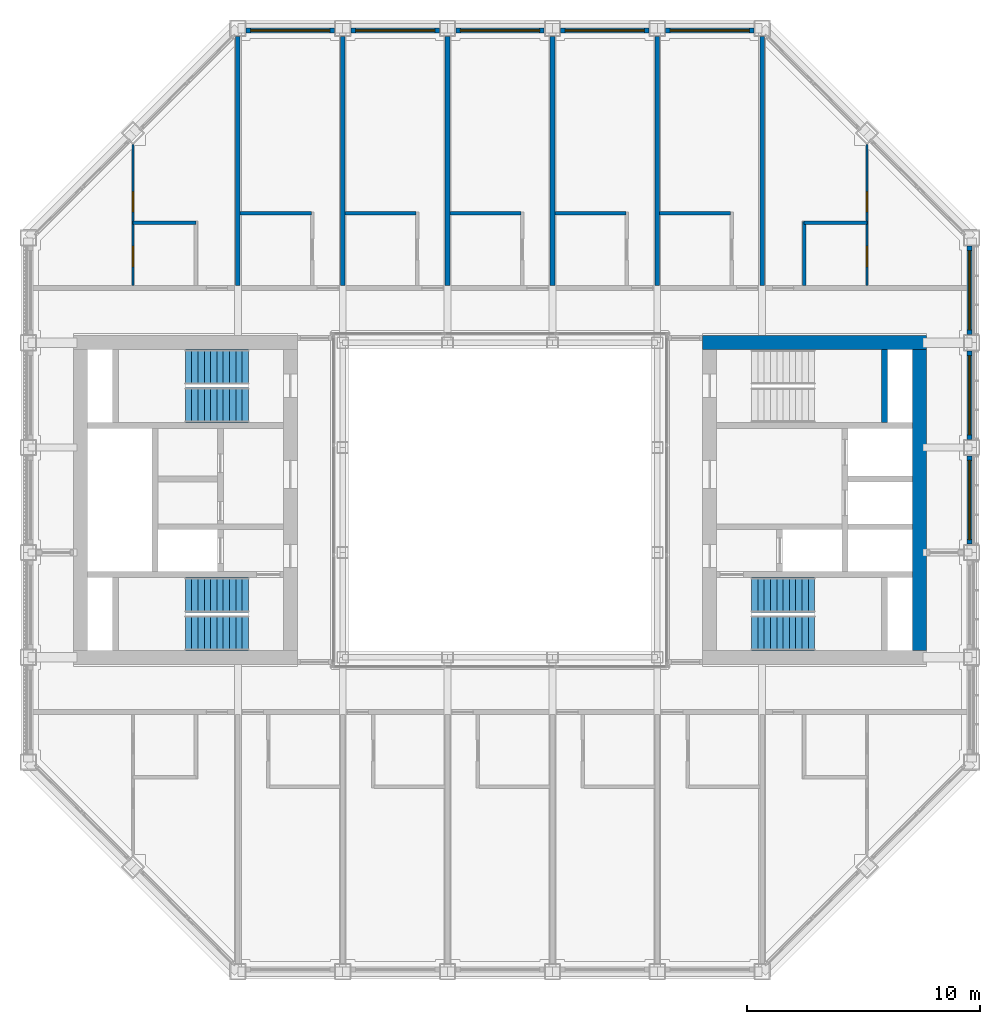
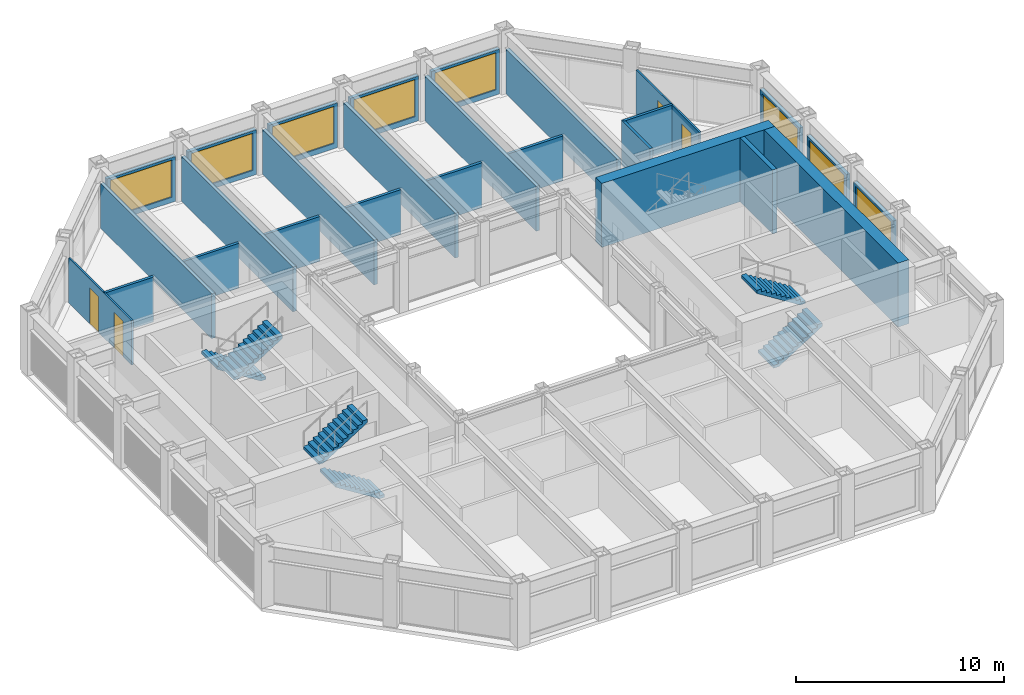
# One storey, part 12 of 18: 27 walls, 8 windows, 6 stair flights, 4 doors, 12 openings, 3 elements without a shape of their own.
"""IFC4 building model written with IfcOpenShell, lengths in metres."""

import ifcopenshell
import ifcopenshell.guid

model = None  # the IFC model being written
_history = None  # IfcOwnerHistory: only IFC2X3 demands one
_inside = {}  # id of a spatial element -> (the spatial element, [elements in it])
_under = {}  # id of a project, library or spatial element -> (it, [spatial elements below it])
_declared = {}  # id of a project -> (the project, [libraries it declares])
_typed = {}  # id of a type object -> (the type object, [elements of that type])
_made_of = {}  # id of a material, layer set ... -> (it, [elements and type objects made of it])


def new_model(schema):
    """Start an empty IFC model of exactly this schema.

    Asked for "IFC4X3", IfcOpenShell would pick the latest addendum, in which some entities
    have other attributes; the version numbers below select the first issue.
    IFC2X3 requires an IfcOwnerHistory on every rooted entity: one is made here for all.
    """
    global model, _history
    if schema == "IFC4X3":
        model = ifcopenshell.file(schema_version=(4, 3, 0, 0))
    else:
        model = ifcopenshell.file(schema=schema)
    _inside.clear()
    _under.clear()
    _declared.clear()
    _typed.clear()
    _made_of.clear()
    _history = None
    if model.schema == "IFC2X3":
        org = make("IfcOrganization", Name="unknown")
        user = make(
            "IfcPersonAndOrganization",
            ThePerson=make("IfcPerson", FamilyName="unknown"),
            TheOrganization=org,
        )
        app = make(
            "IfcApplication",
            ApplicationDeveloper=org,
            Version="unknown",
            ApplicationFullName="unknown",
            ApplicationIdentifier="unknown",
        )
        _history = make(
            "IfcOwnerHistory",
            OwningUser=user,
            OwningApplication=app,
            ChangeAction="ADDED",
            CreationDate=0,
        )
    return model


def make(cls, **values):
    """One entity of the class cls with the attributes given. An attribute that is None is left unset."""
    return model.create_entity(
        cls, **{name: value for name, value in values.items() if value is not None}
    )


def rooted(cls, **values):
    """An entity with a GlobalId (a new one), such as an element, a storey or a relation."""
    return make(cls, GlobalId=ifcopenshell.guid.new(), OwnerHistory=_history, **values)


def si_unit(unit_type, name, prefix=None):
    """IfcSIUnit, for example si_unit("LENGTHUNIT", "METRE", prefix="MILLI")."""
    return make("IfcSIUnit", UnitType=unit_type, Prefix=prefix, Name=name)


def assignment(units):
    """IfcUnitAssignment: the units of a project."""
    return None if units is None else make("IfcUnitAssignment", Units=units)


def point(xyz):
    """IfcCartesianPoint."""
    return None if xyz is None else make("IfcCartesianPoint", Coordinates=xyz)


def direction(xyz):
    """IfcDirection."""
    return None if xyz is None else make("IfcDirection", DirectionRatios=xyz)


def frame(location, z_axis=None, x_axis=None):
    """IfcAxis2Placement3D, a coordinate frame: its origin and axes. An axis left out is left unset."""
    return make(
        "IfcAxis2Placement3D",
        Location=point(location),
        Axis=direction(z_axis),
        RefDirection=direction(x_axis),
    )


def frame_2d(location, x_axis=None):
    """IfcAxis2Placement2D, a coordinate frame in the plane: its origin and x axis."""
    return make(
        "IfcAxis2Placement2D", Location=point(location), RefDirection=direction(x_axis)
    )


def origin():
    """The frame at (0, 0, 0) with its axes left unset."""
    return frame((0.0, 0.0, 0.0))


def place(relative_to, where):
    """IfcLocalPlacement: puts the frame where relative to a parent placement (None: the world)."""
    return make(
        "IfcLocalPlacement", PlacementRelTo=relative_to, RelativePlacement=where
    )


def context(
    kind, dimensions, precision=None, world=None, true_north=None, identifier=None
):
    """IfcGeometricRepresentationContext, for example the 3D "Model" context."""
    return make(
        "IfcGeometricRepresentationContext",
        ContextIdentifier=identifier,
        ContextType=kind,
        CoordinateSpaceDimension=dimensions,
        Precision=precision,
        WorldCoordinateSystem=world,
        TrueNorth=true_north,
    )


def subcontext(parent, identifier, kind, view, scale=None):
    """IfcGeometricRepresentationSubContext, for example "Body" below "Model"."""
    return make(
        "IfcGeometricRepresentationSubContext",
        ContextIdentifier=identifier,
        ContextType=kind,
        ParentContext=parent,
        TargetScale=scale,
        TargetView=view,
    )


def project(units=None, contexts=None):
    """IfcProject with its units and contexts."""
    return rooted(
        "IfcProject",
        Name="project",
        RepresentationContexts=contexts,
        UnitsInContext=assignment(units),
    )


def spatial(cls, under=None, at=None, **own):
    """A site, building, storey or space (cls), placed at a placement, below another one or the project."""
    s = rooted(cls, ObjectPlacement=at, **own)
    if under is not None:
        _under.setdefault(under.id(), (under, []))[1].append(s)
    return s


def polyline(points):
    """IfcPolyline through the points."""
    return make("IfcPolyline", Points=[point(p) for p in points])


def profile(cls, at=None, kind="AREA", **sizes):
    """A parametric profile (cls). Its sizes go by their IFC names, for example OverallWidth=200.0."""
    return make(cls, ProfileType=kind, Position=at, **sizes)


def rectangle(**sizes):
    """IfcRectangleProfileDef."""
    return profile("IfcRectangleProfileDef", **sizes)


def outline(outer, holes=None, kind="AREA"):
    """IfcArbitraryClosedProfileDef: a profile drawn as a closed curve; with holes, ...WithVoids."""
    if holes is None:
        return make("IfcArbitraryClosedProfileDef", ProfileType=kind, OuterCurve=outer)
    return make(
        "IfcArbitraryProfileDefWithVoids",
        ProfileType=kind,
        OuterCurve=outer,
        InnerCurves=holes,
    )


def extrude(swept, where, along, depth):
    """IfcExtrudedAreaSolid: the profile swept, set in the frame where, extruded along a direction by depth."""
    return make(
        "IfcExtrudedAreaSolid",
        SweptArea=swept,
        Position=where,
        ExtrudedDirection=direction(along),
        Depth=depth,
    )


def shape(context_of_items, identifier, shape_type, items):
    """IfcShapeRepresentation: the items that make up one representation, for example the "Body"."""
    return make(
        "IfcShapeRepresentation",
        ContextOfItems=context_of_items,
        RepresentationIdentifier=identifier,
        RepresentationType=shape_type,
        Items=items,
    )


def material(Name=None, Category=None):
    """IfcMaterial."""
    return make("IfcMaterial", Name=Name, Category=Category)


def layer(
    of_material, thickness, ventilated=None, Name=None, Category=None, Priority=None
):
    """IfcMaterialLayer: one layer of a wall or slab, of a material (None: an air gap)."""
    return make(
        "IfcMaterialLayer",
        Material=of_material,
        LayerThickness=thickness,
        IsVentilated=ventilated,
        Name=Name,
        Category=Category,
        Priority=Priority,
    )


def layer_set(layers, Name=None):
    """IfcMaterialLayerSet."""
    return make("IfcMaterialLayerSet", MaterialLayers=layers, LayerSetName=Name)


def made_of(thing, what):
    """Note that an element or type object is made of a material, layer set ...; save() writes the relation."""
    if what is not None:
        _made_of.setdefault(what.id(), (what, []))[1].append(thing)
    return thing


def type_object(cls, material=None, **own):
    """A type object (cls), such as IfcWallType, which elements share."""
    return made_of(rooted(cls, **own), material)


def element(
    cls,
    number,
    at=None,
    inside=None,
    cuts=None,
    type_object=None,
    material=None,
    context=None,
    identifier="Body",
    shape_type=None,
    held_by="IfcProductDefinitionShape",
    body=None,
    shapes=None,
    **own,
):
    """One element of the class cls, such as IfcWall. Its Tag is "e" and its number.

    at: its placement. inside: the storey or other place that contains it. cuts: it is an
    opening in that element (IfcRelVoidsElement). A single representation is given by context,
    identifier, shape_type and body (its items); several are given by shapes. held_by: the class
    of the entity that holds the representations. save() writes the other relations.
    """
    e = rooted(cls, Tag="e%d" % number, ObjectPlacement=at, **own)
    if body is not None:
        shapes = [shape(context, identifier, shape_type, body)]
    if shapes is not None:
        e.Representation = make(held_by, Representations=shapes)
    if inside is not None:
        _inside.setdefault(inside.id(), (inside, []))[1].append(e)
    if cuts is not None:
        rooted(
            "IfcRelVoidsElement", RelatingBuildingElement=cuts, RelatedOpeningElement=e
        )
    if type_object is not None:
        _typed.setdefault(type_object.id(), (type_object, []))[1].append(e)
    return made_of(e, material)


def fill(opening, filler):
    """IfcRelFillsElement: the door or window that sits in an opening."""
    return rooted(
        "IfcRelFillsElement",
        RelatingOpeningElement=opening,
        RelatedBuildingElement=filler,
    )


def aggregate(whole, parts):
    """IfcRelAggregates: a whole, such as a stair, and the parts it consists of."""
    return rooted("IfcRelAggregates", RelatingObject=whole, RelatedObjects=parts)


def save(model, path):
    """Write the relations noted so far, then the file.

    IfcRelAggregates (storeys below a building ...), IfcRelContainedInSpatialStructure (elements
    in a storey), IfcRelDefinesByType, IfcRelAssociatesMaterial and IfcRelDeclares: one each for
    every whole, place, type object, material and project.
    """
    for whole, parts in _under.values():
        aggregate(whole, parts)
    for where, things in _inside.values():
        rooted(
            "IfcRelContainedInSpatialStructure",
            RelatedElements=things,
            RelatingStructure=where,
        )
    for kind, things in _typed.values():
        rooted("IfcRelDefinesByType", RelatedObjects=things, RelatingType=kind)
    for what, things in _made_of.values():
        rooted("IfcRelAssociatesMaterial", RelatedObjects=things, RelatingMaterial=what)
    for by, libraries in _declared.values():
        rooted("IfcRelDeclares", RelatingContext=by, RelatedDefinitions=libraries)
    model.write(path)


model = new_model("IFC4")

# Units and contexts
model_context = context("Model", 3, precision=1e-05, world=origin(), true_north=direction((0.0, 1.0)))
body_context = subcontext(model_context, "Body", "Model", "MODEL_VIEW")
ifc_project = project(units=[si_unit("LENGTHUNIT", "METRE"), si_unit("AREAUNIT", "SQUARE_METRE"), si_unit("VOLUMEUNIT", "CUBIC_METRE"), si_unit("PLANEANGLEUNIT", "RADIAN"), si_unit("MASSUNIT", "GRAM", prefix="KILO")], contexts=[model_context])

# Site, building, storey
site_placement = place(None, origin())
site = spatial("IfcSite", under=ifc_project, at=site_placement, CompositionType="ELEMENT")
building_placement = place(site_placement, origin())
building = spatial("IfcBuilding", under=site, at=building_placement, Name="Msasa Ring Tower", CompositionType="ELEMENT")
storey_placement = place(building_placement, frame((0.0, 0.0, 208.300048828125)))
storey = spatial("IfcBuildingStorey", under=building, at=storey_placement, Name="L54", CompositionType="ELEMENT", Elevation=208.300048828125)

# Walls
ifc_material_1 = material(Name="Concrete C60/75", Category="concrete")
ifc_layer_1 = layer(ifc_material_1, 0.60009765625)
ifc_layer_set_1 = layer_set([ifc_layer_1], Name="CW3 CORE WALL 600")
wall_type_1 = type_object("IfcWallType", Name="CW3 CORE WALL 600", PredefinedType="SHEAR", material=ifc_layer_set_1)
wall_1_placement = place(storey_placement, frame((8.699951171875, 6.75, 0.0), z_axis=(0.0, 0.0, 1.0), x_axis=(1.0, 0.0, 0.0)))
element("IfcWall", 1, at=wall_1_placement, inside=storey, type_object=wall_type_1, Name="E core wall N L54", PredefinedType="SHEAR", context=body_context, shape_type="SweptSolid", body=[
    extrude(rectangle(XDim=9.60009765625, YDim=0.60009765625, at=frame_2d((4.800048828125, 0.0))), origin(), (0.0, 0.0, 1.0), 3.75),
])
wall_2_placement = place(storey_placement, frame((18.0, -6.449951171875, 0.0), z_axis=(0.0, 0.0, 1.0), x_axis=(0.0, 1.0, 0.0)))
element("IfcWall", 2, at=wall_2_placement, inside=storey, type_object=wall_type_1, Name="E core wall E L54", PredefinedType="SHEAR", context=body_context, shape_type="SweptSolid", body=[
    extrude(rectangle(XDim=12.89990234375, YDim=0.60009765625, at=frame_2d((6.449951171875, 0.0))), origin(), (0.0, 0.0, 1.0), 3.75),
])
ifc_material_2 = material(Name="Concrete C60/75", Category="concrete")
ifc_layer_2 = layer(ifc_material_2, 0.25)
ifc_layer_set_2 = layer_set([ifc_layer_2], Name="CW4 CORE INNER WALL 250")
wall_type_2 = type_object("IfcWallType", Name="CW4 CORE INNER WALL 250", PredefinedType="SHEAR", material=ifc_layer_set_2)
wall_3_placement = place(storey_placement, frame((16.5, 3.324951171875, 0.0), z_axis=(0.0, 0.0, 1.0), x_axis=(0.0, 1.0, 0.0)))
element("IfcWall", 3, at=wall_3_placement, inside=storey, type_object=wall_type_2, Name="E core wall RISERB L54", PredefinedType="SHEAR", context=body_context, shape_type="SweptSolid", body=[
    extrude(rectangle(XDim=3.125, YDim=0.25, at=frame_2d((1.5625, 0.0))), origin(), (0.0, 0.0, 1.0), 3.75),
])

# Wall, opening, window
ifc_material_3 = material(Name="Terracotta rainscreen on blockwork", Category="masonry")
ifc_layer_3 = layer(ifc_material_3, 0.199951171875)
ifc_layer_set_3 = layer_set([ifc_layer_3], Name="FW1 TERRACOTTA-LINED INFILL BAY WALL 200")
wall_type_3 = type_object("IfcWallType", Name="FW1 TERRACOTTA-LINED INFILL BAY WALL 200", PredefinedType="SOLIDWALL", material=ifc_layer_set_3)
wall_4_placement = place(storey_placement, frame((20.14990234375, -1.89501953125, 0.0), z_axis=(0.0, 0.0, 1.0), x_axis=(0.0, 1.0, 0.0)))
wall_4 = element("IfcWall", 4, at=wall_4_placement, inside=storey, type_object=wall_type_3, Name="Infill bay wall E L54 09", PredefinedType="SOLIDWALL", context=body_context, shape_type="SweptSolid", body=[
    extrude(rectangle(XDim=3.7900390625, YDim=0.199951171875, at=frame_2d((1.89501953125, 0.0))), origin(), (0.0, 0.0, 1.0), 2.62890625),
])
opening_1_placement = place(wall_4_placement, frame((0.195068359375, 0.0, 0.300048828125)))
opening_1 = element("IfcOpeningElement", 5, at=opening_1_placement, cuts=wall_4, Name="Opening WN3", PredefinedType="OPENING", context=body_context, shape_type="SweptSolid", body=[
    extrude(rectangle(XDim=3.39990234375, YDim=2.178955078125, at=frame_2d((1.699951171875, 1.08935546875))), frame((0.0, 0.10986328125, 0.0), z_axis=(0.0, -1.0, 0.0), x_axis=(1.0, 0.0, 0.0)), (0.0, 0.0, 1.0), 0.219970703125),
])
ifc_material_4 = material(Name="Aluminium frame with clear glass", Category="aluminium")
window_type = type_object("IfcWindowType", Name="WN3 SUITE WINDOW 3400x2179", PartitioningType="SINGLE_PANEL", PredefinedType="WINDOW", material=ifc_material_4)
window_1_placement = place(opening_1_placement, origin())
window_1 = element("IfcWindow", 6, at=window_1_placement, inside=storey, type_object=window_type, Name="Window E L54 09", OverallHeight=2.178955078125, OverallWidth=3.39990234375, PartitioningType="SINGLE_PANEL", PredefinedType="WINDOW", context=body_context, shape_type="SweptSolid", body=[
    extrude(rectangle(XDim=3.39990234375, YDim=2.178955078125, at=frame_2d((1.699951171875, 1.08935546875))), frame((0.0, 0.030029296875, 0.0), z_axis=(0.0, -1.0, 0.0), x_axis=(1.0, 0.0, 0.0)), (0.0, 0.0, 1.0), 0.06005859375),
])
fill(opening_1, window_1)

wall_5_placement = place(storey_placement, frame((20.14990234375, 2.60498046875, 0.0), z_axis=(0.0, 0.0, 1.0), x_axis=(0.0, 1.0, 0.0)))
wall_5 = element("IfcWall", 7, at=wall_5_placement, inside=storey, type_object=wall_type_3, Name="Infill bay wall E L54 10", PredefinedType="SOLIDWALL", context=body_context, shape_type="SweptSolid", body=[
    extrude(rectangle(XDim=3.7900390625, YDim=0.199951171875, at=frame_2d((1.89501953125, 0.0))), origin(), (0.0, 0.0, 1.0), 2.62890625),
])
opening_2_placement = place(wall_5_placement, frame((0.195068359375, 0.0, 0.300048828125)))
opening_2 = element("IfcOpeningElement", 8, at=opening_2_placement, cuts=wall_5, Name="Opening WN3", PredefinedType="OPENING", context=body_context, shape_type="SweptSolid", body=[
    extrude(rectangle(XDim=3.39990234375, YDim=2.178955078125, at=frame_2d((1.699951171875, 1.08935546875))), frame((0.0, 0.10986328125, 0.0), z_axis=(0.0, -1.0, 0.0), x_axis=(1.0, 0.0, 0.0)), (0.0, 0.0, 1.0), 0.219970703125),
])
window_2_placement = place(opening_2_placement, origin())
window_2 = element("IfcWindow", 9, at=window_2_placement, inside=storey, type_object=window_type, Name="Window E L54 10", OverallHeight=2.178955078125, OverallWidth=3.39990234375, PartitioningType="SINGLE_PANEL", PredefinedType="WINDOW", context=body_context, shape_type="SweptSolid", body=[
    extrude(rectangle(XDim=3.39990234375, YDim=2.178955078125, at=frame_2d((1.699951171875, 1.08935546875))), frame((0.0, 0.030029296875, 0.0), z_axis=(0.0, -1.0, 0.0), x_axis=(1.0, 0.0, 0.0)), (0.0, 0.0, 1.0), 0.06005859375),
])
fill(opening_2, window_2)

wall_6_placement = place(storey_placement, frame((20.14990234375, 7.10498046875, 0.0), z_axis=(0.0, 0.0, 1.0), x_axis=(0.0, 1.0, 0.0)))
wall_6 = element("IfcWall", 10, at=wall_6_placement, inside=storey, type_object=wall_type_3, Name="Infill bay wall E L54 11", PredefinedType="SOLIDWALL", context=body_context, shape_type="SweptSolid", body=[
    extrude(rectangle(XDim=3.7900390625, YDim=0.199951171875, at=frame_2d((1.89501953125, 0.0))), origin(), (0.0, 0.0, 1.0), 2.62890625),
])
opening_3_placement = place(wall_6_placement, frame((0.195068359375, 0.0, 0.300048828125)))
opening_3 = element("IfcOpeningElement", 11, at=opening_3_placement, cuts=wall_6, Name="Opening WN3", PredefinedType="OPENING", context=body_context, shape_type="SweptSolid", body=[
    extrude(rectangle(XDim=3.39990234375, YDim=2.178955078125, at=frame_2d((1.699951171875, 1.08935546875))), frame((0.0, 0.10986328125, 0.0), z_axis=(0.0, -1.0, 0.0), x_axis=(1.0, 0.0, 0.0)), (0.0, 0.0, 1.0), 0.219970703125),
])
window_3_placement = place(opening_3_placement, origin())
window_3 = element("IfcWindow", 12, at=window_3_placement, inside=storey, type_object=window_type, Name="Window E L54 11", OverallHeight=2.178955078125, OverallWidth=3.39990234375, PartitioningType="SINGLE_PANEL", PredefinedType="WINDOW", context=body_context, shape_type="SweptSolid", body=[
    extrude(rectangle(XDim=3.39990234375, YDim=2.178955078125, at=frame_2d((1.699951171875, 1.08935546875))), frame((0.0, 0.030029296875, 0.0), z_axis=(0.0, -1.0, 0.0), x_axis=(1.0, 0.0, 0.0)), (0.0, 0.0, 1.0), 0.06005859375),
])
fill(opening_3, window_3)

wall_7_placement = place(storey_placement, frame((-10.89501953125, 20.14990234375, 0.0), z_axis=(0.0, 0.0, 1.0), x_axis=(1.0, 0.0, 0.0)))
wall_7 = element("IfcWall", 13, at=wall_7_placement, inside=storey, type_object=wall_type_3, Name="Infill bay wall N L54 14", PredefinedType="SOLIDWALL", context=body_context, shape_type="SweptSolid", body=[
    extrude(rectangle(XDim=3.7900390625, YDim=0.199951171875, at=frame_2d((1.89501953125, 0.0))), origin(), (0.0, 0.0, 1.0), 2.62890625),
])
opening_4_placement = place(wall_7_placement, frame((0.195068359375, 0.0, 0.300048828125)))
opening_4 = element("IfcOpeningElement", 14, at=opening_4_placement, cuts=wall_7, Name="Opening WN3", PredefinedType="OPENING", context=body_context, shape_type="SweptSolid", body=[
    extrude(rectangle(XDim=3.39990234375, YDim=2.178955078125, at=frame_2d((1.699951171875, 1.08935546875))), frame((0.0, 0.10986328125, 0.0), z_axis=(0.0, -1.0, 0.0), x_axis=(1.0, 0.0, 0.0)), (0.0, 0.0, 1.0), 0.219970703125),
])
window_4_placement = place(opening_4_placement, origin())
window_4 = element("IfcWindow", 15, at=window_4_placement, inside=storey, type_object=window_type, Name="Window N L54 14", OverallHeight=2.178955078125, OverallWidth=3.39990234375, PartitioningType="SINGLE_PANEL", PredefinedType="WINDOW", context=body_context, shape_type="SweptSolid", body=[
    extrude(rectangle(XDim=3.39990234375, YDim=2.178955078125, at=frame_2d((1.699951171875, 1.08935546875))), frame((0.0, 0.030029296875, 0.0), z_axis=(0.0, -1.0, 0.0), x_axis=(1.0, 0.0, 0.0)), (0.0, 0.0, 1.0), 0.06005859375),
])
fill(opening_4, window_4)

wall_8_placement = place(storey_placement, frame((-6.39501953125, 20.14990234375, 0.0), z_axis=(0.0, 0.0, 1.0), x_axis=(1.0, 0.0, 0.0)))
wall_8 = element("IfcWall", 16, at=wall_8_placement, inside=storey, type_object=wall_type_3, Name="Infill bay wall N L54 15", PredefinedType="SOLIDWALL", context=body_context, shape_type="SweptSolid", body=[
    extrude(rectangle(XDim=3.7900390625, YDim=0.199951171875, at=frame_2d((1.89501953125, 0.0))), origin(), (0.0, 0.0, 1.0), 2.62890625),
])
opening_5_placement = place(wall_8_placement, frame((0.195068359375, 0.0, 0.300048828125)))
opening_5 = element("IfcOpeningElement", 17, at=opening_5_placement, cuts=wall_8, Name="Opening WN3", PredefinedType="OPENING", context=body_context, shape_type="SweptSolid", body=[
    extrude(rectangle(XDim=3.39990234375, YDim=2.178955078125, at=frame_2d((1.699951171875, 1.08935546875))), frame((0.0, 0.10986328125, 0.0), z_axis=(0.0, -1.0, 0.0), x_axis=(1.0, 0.0, 0.0)), (0.0, 0.0, 1.0), 0.219970703125),
])
window_5_placement = place(opening_5_placement, origin())
window_5 = element("IfcWindow", 18, at=window_5_placement, inside=storey, type_object=window_type, Name="Window N L54 15", OverallHeight=2.178955078125, OverallWidth=3.39990234375, PartitioningType="SINGLE_PANEL", PredefinedType="WINDOW", context=body_context, shape_type="SweptSolid", body=[
    extrude(rectangle(XDim=3.39990234375, YDim=2.178955078125, at=frame_2d((1.699951171875, 1.08935546875))), frame((0.0, 0.030029296875, 0.0), z_axis=(0.0, -1.0, 0.0), x_axis=(1.0, 0.0, 0.0)), (0.0, 0.0, 1.0), 0.06005859375),
])
fill(opening_5, window_5)

wall_9_placement = place(storey_placement, frame((-1.89501953125, 20.14990234375, 0.0), z_axis=(0.0, 0.0, 1.0), x_axis=(1.0, 0.0, 0.0)))
wall_9 = element("IfcWall", 19, at=wall_9_placement, inside=storey, type_object=wall_type_3, Name="Infill bay wall N L54 16", PredefinedType="SOLIDWALL", context=body_context, shape_type="SweptSolid", body=[
    extrude(rectangle(XDim=3.7900390625, YDim=0.199951171875, at=frame_2d((1.89501953125, 0.0))), origin(), (0.0, 0.0, 1.0), 2.62890625),
])
opening_6_placement = place(wall_9_placement, frame((0.195068359375, 0.0, 0.300048828125)))
opening_6 = element("IfcOpeningElement", 20, at=opening_6_placement, cuts=wall_9, Name="Opening WN3", PredefinedType="OPENING", context=body_context, shape_type="SweptSolid", body=[
    extrude(rectangle(XDim=3.39990234375, YDim=2.178955078125, at=frame_2d((1.699951171875, 1.08935546875))), frame((0.0, 0.10986328125, 0.0), z_axis=(0.0, -1.0, 0.0), x_axis=(1.0, 0.0, 0.0)), (0.0, 0.0, 1.0), 0.219970703125),
])
window_6_placement = place(opening_6_placement, origin())
window_6 = element("IfcWindow", 21, at=window_6_placement, inside=storey, type_object=window_type, Name="Window N L54 16", OverallHeight=2.178955078125, OverallWidth=3.39990234375, PartitioningType="SINGLE_PANEL", PredefinedType="WINDOW", context=body_context, shape_type="SweptSolid", body=[
    extrude(rectangle(XDim=3.39990234375, YDim=2.178955078125, at=frame_2d((1.699951171875, 1.08935546875))), frame((0.0, 0.030029296875, 0.0), z_axis=(0.0, -1.0, 0.0), x_axis=(1.0, 0.0, 0.0)), (0.0, 0.0, 1.0), 0.06005859375),
])
fill(opening_6, window_6)

wall_10_placement = place(storey_placement, frame((2.60498046875, 20.14990234375, 0.0), z_axis=(0.0, 0.0, 1.0), x_axis=(1.0, 0.0, 0.0)))
wall_10 = element("IfcWall", 22, at=wall_10_placement, inside=storey, type_object=wall_type_3, Name="Infill bay wall N L54 17", PredefinedType="SOLIDWALL", context=body_context, shape_type="SweptSolid", body=[
    extrude(rectangle(XDim=3.7900390625, YDim=0.199951171875, at=frame_2d((1.89501953125, 0.0))), origin(), (0.0, 0.0, 1.0), 2.62890625),
])
opening_7_placement = place(wall_10_placement, frame((0.195068359375, 0.0, 0.300048828125)))
opening_7 = element("IfcOpeningElement", 23, at=opening_7_placement, cuts=wall_10, Name="Opening WN3", PredefinedType="OPENING", context=body_context, shape_type="SweptSolid", body=[
    extrude(rectangle(XDim=3.39990234375, YDim=2.178955078125, at=frame_2d((1.699951171875, 1.08935546875))), frame((0.0, 0.10986328125, 0.0), z_axis=(0.0, -1.0, 0.0), x_axis=(1.0, 0.0, 0.0)), (0.0, 0.0, 1.0), 0.219970703125),
])
window_7_placement = place(opening_7_placement, origin())
window_7 = element("IfcWindow", 24, at=window_7_placement, inside=storey, type_object=window_type, Name="Window N L54 17", OverallHeight=2.178955078125, OverallWidth=3.39990234375, PartitioningType="SINGLE_PANEL", PredefinedType="WINDOW", context=body_context, shape_type="SweptSolid", body=[
    extrude(rectangle(XDim=3.39990234375, YDim=2.178955078125, at=frame_2d((1.699951171875, 1.08935546875))), frame((0.0, 0.030029296875, 0.0), z_axis=(0.0, -1.0, 0.0), x_axis=(1.0, 0.0, 0.0)), (0.0, 0.0, 1.0), 0.06005859375),
])
fill(opening_7, window_7)

wall_11_placement = place(storey_placement, frame((7.10498046875, 20.14990234375, 0.0), z_axis=(0.0, 0.0, 1.0), x_axis=(1.0, 0.0, 0.0)))
wall_11 = element("IfcWall", 25, at=wall_11_placement, inside=storey, type_object=wall_type_3, Name="Infill bay wall N L54 18", PredefinedType="SOLIDWALL", context=body_context, shape_type="SweptSolid", body=[
    extrude(rectangle(XDim=3.7900390625, YDim=0.199951171875, at=frame_2d((1.89501953125, 0.0))), origin(), (0.0, 0.0, 1.0), 2.62890625),
])
opening_8_placement = place(wall_11_placement, frame((0.195068359375, 0.0, 0.300048828125)))
opening_8 = element("IfcOpeningElement", 26, at=opening_8_placement, cuts=wall_11, Name="Opening WN3", PredefinedType="OPENING", context=body_context, shape_type="SweptSolid", body=[
    extrude(rectangle(XDim=3.39990234375, YDim=2.178955078125, at=frame_2d((1.699951171875, 1.08935546875))), frame((0.0, 0.10986328125, 0.0), z_axis=(0.0, -1.0, 0.0), x_axis=(1.0, 0.0, 0.0)), (0.0, 0.0, 1.0), 0.219970703125),
])
window_8_placement = place(opening_8_placement, origin())
window_8 = element("IfcWindow", 27, at=window_8_placement, inside=storey, type_object=window_type, Name="Window N L54 18", OverallHeight=2.178955078125, OverallWidth=3.39990234375, PartitioningType="SINGLE_PANEL", PredefinedType="WINDOW", context=body_context, shape_type="SweptSolid", body=[
    extrude(rectangle(XDim=3.39990234375, YDim=2.178955078125, at=frame_2d((1.699951171875, 1.08935546875))), frame((0.0, 0.030029296875, 0.0), z_axis=(0.0, -1.0, 0.0), x_axis=(1.0, 0.0, 0.0)), (0.0, 0.0, 1.0), 0.06005859375),
])
fill(opening_8, window_8)

# Wall, openings, doors
ifc_material_5 = material(Name="Gypsum board on steel studs", Category="steel")
ifc_layer_4 = layer(ifc_material_5, 0.10009765625)
ifc_layer_set_4 = layer_set([ifc_layer_4], Name="PT2 STUD PARTITION 100")
wall_type_4 = type_object("IfcWallType", Name="PT2 STUD PARTITION 100", PredefinedType="PARTITIONING", material=ifc_layer_set_4)
wall_12_placement = place(storey_placement, frame((15.75, 9.199951171875, 0.0), z_axis=(0.0, 0.0, 1.0), x_axis=(0.0, 1.0, 0.0)))
wall_12 = element("IfcWall", 28, at=wall_12_placement, inside=storey, type_object=wall_type_4, Name="Partition L54-CSNEP1", PredefinedType="PARTITIONING", context=body_context, shape_type="SweptSolid", body=[
    extrude(rectangle(XDim=6.054931640625, YDim=0.10009765625, at=frame_2d((3.02734375, 0.0))), origin(), (0.0, 0.0, 1.0), 2.62890625),
])
opening_9_placement = place(wall_12_placement, frame((3.175048828125, 0.0, 0.0)))
opening_9 = element("IfcOpeningElement", 29, at=opening_9_placement, cuts=wall_12, Name="Opening SA-002", PredefinedType="OPENING", context=body_context, shape_type="SweptSolid", body=[
    extrude(rectangle(XDim=0.85009765625, YDim=2.10009765625, at=frame_2d((0.425048828125, 1.050048828125))), frame((0.0, 0.06005859375, 0.0), z_axis=(0.0, -1.0, 0.0), x_axis=(1.0, 0.0, 0.0)), (0.0, 0.0, 1.0), 0.1201171875),
])
opening_10_placement = place(wall_12_placement, frame((0.800048828125, 0.0, 0.0)))
opening_10 = element("IfcOpeningElement", 30, at=opening_10_placement, cuts=wall_12, Name="Opening SA-009", PredefinedType="OPENING", context=body_context, shape_type="SweptSolid", body=[
    extrude(rectangle(XDim=0.89990234375, YDim=2.10009765625, at=frame_2d((0.449951171875, 1.050048828125))), frame((0.0, 0.06005859375, 0.0), z_axis=(0.0, -1.0, 0.0), x_axis=(1.0, 0.0, 0.0)), (0.0, 0.0, 1.0), 0.1201171875),
])
ifc_material_6 = material(Name="Timber door leaf in a steel frame", Category="steel")
door_type_1 = type_object("IfcDoorType", Name="D14 BEDROOM DOOR 850x2100", OperationType="SINGLE_SWING_LEFT", PredefinedType="DOOR", material=ifc_material_6)
door_1_placement = place(opening_9_placement, origin())
door_1 = element("IfcDoor", 31, at=door_1_placement, inside=storey, type_object=door_type_1, Name="Door L54-CSNER1", OperationType="SINGLE_SWING_RIGHT", OverallHeight=2.10009765625, OverallWidth=0.85009765625, PredefinedType="DOOR", context=body_context, shape_type="SweptSolid", body=[
    extrude(rectangle(XDim=0.85009765625, YDim=2.10009765625, at=frame_2d((0.425048828125, 1.050048828125))), frame((0.0, 0.02490234375, 0.0), z_axis=(0.0, -1.0, 0.0), x_axis=(1.0, 0.0, 0.0)), (0.0, 0.0, 1.0), 0.050048828125),
])
fill(opening_9, door_1)
ifc_material_7 = material(Name="Timber door leaf in a steel frame", Category="steel")
door_type_2 = type_object("IfcDoorType", Name="D3 BATHROOM DOOR 900x2100", OperationType="SINGLE_SWING_LEFT", PredefinedType="DOOR", material=ifc_material_7)
door_2_placement = place(opening_10_placement, origin())
door_2 = element("IfcDoor", 32, at=door_2_placement, inside=storey, type_object=door_type_2, Name="Door L54-CSNEB1", OperationType="SINGLE_SWING_LEFT", OverallHeight=2.10009765625, OverallWidth=0.89990234375, PredefinedType="DOOR", context=body_context, shape_type="SweptSolid", body=[
    extrude(rectangle(XDim=0.89990234375, YDim=2.10009765625, at=frame_2d((0.449951171875, 1.050048828125))), frame((0.0, 0.02490234375, 0.0), z_axis=(0.0, -1.0, 0.0), x_axis=(1.0, 0.0, 0.0)), (0.0, 0.0, 1.0), 0.050048828125),
])
fill(opening_10, door_2)

wall_13_placement = place(storey_placement, frame((-15.75, 9.199951171875, 0.0), z_axis=(0.0, 0.0, 1.0), x_axis=(0.0, 1.0, 0.0)))
wall_13 = element("IfcWall", 33, at=wall_13_placement, inside=storey, type_object=wall_type_4, Name="Partition L54-CSNWP1", PredefinedType="PARTITIONING", context=body_context, shape_type="SweptSolid", body=[
    extrude(rectangle(XDim=6.054931640625, YDim=0.10009765625, at=frame_2d((3.02734375, 0.0))), origin(), (0.0, 0.0, 1.0), 2.62890625),
])
opening_11_placement = place(wall_13_placement, frame((3.175048828125, 0.0, 0.0)))
opening_11 = element("IfcOpeningElement", 34, at=opening_11_placement, cuts=wall_13, Name="Opening SA-001", PredefinedType="OPENING", context=body_context, shape_type="SweptSolid", body=[
    extrude(rectangle(XDim=0.85009765625, YDim=2.10009765625, at=frame_2d((0.425048828125, 1.050048828125))), frame((0.0, 0.06005859375, 0.0), z_axis=(0.0, -1.0, 0.0), x_axis=(1.0, 0.0, 0.0)), (0.0, 0.0, 1.0), 0.1201171875),
])
opening_12_placement = place(wall_13_placement, frame((0.800048828125, 0.0, 0.0)))
opening_12 = element("IfcOpeningElement", 35, at=opening_12_placement, cuts=wall_13, Name="Opening SA-008", PredefinedType="OPENING", context=body_context, shape_type="SweptSolid", body=[
    extrude(rectangle(XDim=0.89990234375, YDim=2.10009765625, at=frame_2d((0.449951171875, 1.050048828125))), frame((0.0, 0.06005859375, 0.0), z_axis=(0.0, -1.0, 0.0), x_axis=(1.0, 0.0, 0.0)), (0.0, 0.0, 1.0), 0.1201171875),
])
door_3_placement = place(opening_11_placement, origin())
door_3 = element("IfcDoor", 36, at=door_3_placement, inside=storey, type_object=door_type_1, Name="Door L54-CSNWR1", OperationType="SINGLE_SWING_RIGHT", OverallHeight=2.10009765625, OverallWidth=0.85009765625, PredefinedType="DOOR", context=body_context, shape_type="SweptSolid", body=[
    extrude(rectangle(XDim=0.85009765625, YDim=2.10009765625, at=frame_2d((0.425048828125, 1.050048828125))), frame((0.0, 0.02490234375, 0.0), z_axis=(0.0, -1.0, 0.0), x_axis=(1.0, 0.0, 0.0)), (0.0, 0.0, 1.0), 0.050048828125),
])
fill(opening_11, door_3)
door_4_placement = place(opening_12_placement, origin())
door_4 = element("IfcDoor", 37, at=door_4_placement, inside=storey, type_object=door_type_2, Name="Door L54-CSNWB1", OperationType="SINGLE_SWING_LEFT", OverallHeight=2.10009765625, OverallWidth=0.89990234375, PredefinedType="DOOR", context=body_context, shape_type="SweptSolid", body=[
    extrude(rectangle(XDim=0.89990234375, YDim=2.10009765625, at=frame_2d((0.449951171875, 1.050048828125))), frame((0.0, 0.02490234375, 0.0), z_axis=(0.0, -1.0, 0.0), x_axis=(1.0, 0.0, 0.0)), (0.0, 0.0, 1.0), 0.050048828125),
])
fill(opening_12, door_4)

# Walls
ifc_material_8 = material(Name="Dense concrete blockwork, plastered both faces", Category="masonry")
ifc_layer_5 = layer(ifc_material_8, 0.25)
ifc_layer_set_5 = layer_set([ifc_layer_5], Name="PT3 APARTMENT SEPARATING WALL 250")
wall_type_5 = type_object("IfcWallType", Name="PT3 APARTMENT SEPARATING WALL 250", PredefinedType="PARTITIONING", material=ifc_layer_set_5)
for number, where, z_axis, x_axis, name in (
    (38, (-11.25, 9.199951171875, 0.0), (0.0, 0.0, 1.0), (0.0, 1.0, 0.0), "Party wall L54-PWN-11.25"),
    (39, (-6.75, 9.199951171875, 0.0), (0.0, 0.0, 1.0), (0.0, 1.0, 0.0), "Party wall L54-PWN-6.75"),
    (40, (-2.25, 9.199951171875, 0.0), (0.0, 0.0, 1.0), (0.0, 1.0, 0.0), "Party wall L54-PWN-2.25"),
    (41, (2.25, 9.199951171875, 0.0), (0.0, 0.0, 1.0), (0.0, 1.0, 0.0), "Party wall L54-PWN+2.25"),
    (42, (6.75, 9.199951171875, 0.0), (0.0, 0.0, 1.0), (0.0, 1.0, 0.0), "Party wall L54-PWN+6.75"),
    (43, (11.25, 9.199951171875, 0.0), (0.0, 0.0, 1.0), (0.0, 1.0, 0.0), "Party wall L54-PWN+11.25"),
):
    element("IfcWall", number, at=place(storey_placement, frame(where, z_axis=z_axis, x_axis=x_axis)), inside=storey, type_object=wall_type_5, Name=name, PredefinedType="PARTITIONING", context=body_context, shape_type="SweptSolid", body=[
        extrude(rectangle(XDim=10.699951171875, YDim=0.199951171875, at=frame_2d((5.35009765625, 0.0))), origin(), (0.0, 0.0, 1.0), 2.62890625),
    ])
ifc_material_9 = material(Name="Moisture-resistant board on steel studs with a concealed cistern and pipe void, tiled", Category="steel")
ifc_layer_6 = layer(ifc_material_9, 0.14990234375)
ifc_layer_set_6 = layer_set([ifc_layer_6], Name="PT4 BATHROOM WET WALL 150")
wall_type_6 = type_object("IfcWallType", Name="PT4 BATHROOM WET WALL 150", PredefinedType="PARTITIONING", material=ifc_layer_set_6)
for number, where, z_axis, x_axis, name in (
    (44, (-11.14990234375, 12.300048828125, 0.0), (0.0, 0.0, 1.0), (1.0, 0.0, 0.0), "Partition L54-JN00BY"),
    (45, (-6.64990234375, 12.300048828125, 0.0), (0.0, 0.0, 1.0), (1.0, 0.0, 0.0), "Partition L54-JN01BY"),
    (46, (-2.14990234375, 12.300048828125, 0.0), (0.0, 0.0, 1.0), (1.0, 0.0, 0.0), "Partition L54-JN02BY"),
    (47, (2.35009765625, 12.300048828125, 0.0), (0.0, 0.0, 1.0), (1.0, 0.0, 0.0), "Partition L54-JN03BY"),
    (48, (6.85009765625, 12.300048828125, 0.0), (0.0, 0.0, 1.0), (1.0, 0.0, 0.0), "Partition L54-JN04BY"),
):
    element("IfcWall", number, at=place(storey_placement, frame(where, z_axis=z_axis, x_axis=x_axis)), inside=storey, type_object=wall_type_6, Name=name, PredefinedType="PARTITIONING", context=body_context, shape_type="SweptSolid", body=[
        extrude(rectangle(XDim=3.0498046875, YDim=0.14990234375, at=frame_2d((1.52490234375, 0.0))), origin(), (0.0, 0.0, 1.0), 2.62890625),
    ])
wall_14_placement = place(storey_placement, frame((13.050048828125, 9.199951171875, 0.0), z_axis=(0.0, 0.0, 1.0), x_axis=(0.0, 1.0, 0.0)))
element("IfcWall", 49, at=wall_14_placement, inside=storey, type_object=wall_type_6, Name="Partition L54-CSNEBX", PredefinedType="PARTITIONING", context=body_context, shape_type="SweptSolid", body=[
    extrude(rectangle(XDim=2.75, YDim=0.14990234375, at=frame_2d((1.375, 0.0))), origin(), (0.0, 0.0, 1.0), 2.62890625),
])
for number, where, z_axis, x_axis, name in (
    (50, (13.050048828125, 11.89990234375, 0.0), (0.0, 0.0, 1.0), (1.0, 0.0, 0.0), "Partition L54-CSNEBY"),
    (51, (-15.75, 11.89990234375, 0.0), (0.0, 0.0, 1.0), (1.0, 0.0, 0.0), "Partition L54-CSNWBY"),
):
    element("IfcWall", number, at=place(storey_placement, frame(where, z_axis=z_axis, x_axis=x_axis)), inside=storey, type_object=wall_type_6, Name=name, PredefinedType="PARTITIONING", context=body_context, shape_type="SweptSolid", body=[
        extrude(rectangle(XDim=2.699951171875, YDim=0.14990234375, at=frame_2d((1.35009765625, 0.0))), origin(), (0.0, 0.0, 1.0), 2.62890625),
    ])

# Stair, stair flights
ifc_material_10 = material(Name="Concrete C40/50", Category="concrete")
stair_type = type_object("IfcStairType", Name="STC CORE STAIR 22 RISERS 170.5", PredefinedType="HALF_TURN_STAIR", material=ifc_material_10)
stair_1_placement = place(storey_placement, origin())
stair_1 = element("IfcStair", 52, at=stair_1_placement, inside=storey, type_object=stair_type, Name="Core stair SEA L54", PredefinedType="HALF_TURN_STAIR")
ifc_material_11 = material(Name="Concrete C40/50", Category="concrete")
stair_flight_type = type_object("IfcStairFlightType", Name="ST11 CORE STAIR FLIGHT 1500 11 RISERS 170.5", PredefinedType="STRAIGHT", material=ifc_material_11)
stair_flight_1_placement = place(storey_placement, frame((10.800048828125, -5.699951171875, 0.0), z_axis=(0.0, 0.0, 1.0), x_axis=(1.0, 0.0, 0.0)))
stair_flight_1 = element("IfcStairFlight", 53, at=stair_flight_1_placement, type_object=stair_flight_type, Name="SEA flight 1", NumberOfRisers=11, NumberOfTreads=10, PredefinedType="STRAIGHT", RiserHeight=0.170454545, TreadLength=0.27, context=body_context, shape_type="SweptSolid", body=[
    extrude(outline(polyline([(0.0, 0.0), (0.0, 0.17041015625), (0.27001953125, 0.17041015625), (0.27001953125, 0.3408203125), (0.5400390625, 0.3408203125), (0.5400390625, 0.511474609375), (0.81005859375, 0.511474609375), (0.81005859375, 0.681884765625), (1.080078125, 0.681884765625), (1.080078125, 0.852294921875), (1.35009765625, 0.852294921875), (1.35009765625, 1.022705078125), (1.6201171875, 1.022705078125), (1.6201171875, 1.193115234375), (1.889892578125, 1.193115234375), (1.889892578125, 1.363525390625), (2.159912109375, 1.363525390625), (2.159912109375, 1.5341796875), (2.429931640625, 1.5341796875), (2.429931640625, 1.70458984375), (2.699951171875, 1.70458984375), (2.699951171875, 1.875), (2.699951171875, 1.52734375), (0.28076171875, 0.0), (0.0, 0.0)])), frame((0.0, 0.75, 0.0), z_axis=(0.0, -1.0, 0.0), x_axis=(1.0, 0.0, 0.0)), (0.0, 0.0, 1.0), 1.5),
])
stair_flight_2_placement = place(storey_placement, frame((13.5, -4.074951171875, 1.875), z_axis=(0.0, 0.0, 1.0), x_axis=(-1.0, 0.0, 0.0)))
stair_flight_2 = element("IfcStairFlight", 54, at=stair_flight_2_placement, type_object=stair_flight_type, Name="SEA flight 2", NumberOfRisers=11, NumberOfTreads=10, PredefinedType="STRAIGHT", RiserHeight=0.170454545, TreadLength=0.27, context=body_context, shape_type="SweptSolid", body=[
    extrude(outline(polyline([(0.0, 0.0), (0.0, 0.17041015625), (0.27001953125, 0.17041015625), (0.27001953125, 0.3408203125), (0.5400390625, 0.3408203125), (0.5400390625, 0.511474609375), (0.81005859375, 0.511474609375), (0.81005859375, 0.681884765625), (1.080078125, 0.681884765625), (1.080078125, 0.852294921875), (1.35009765625, 0.852294921875), (1.35009765625, 1.022705078125), (1.6201171875, 1.022705078125), (1.6201171875, 1.193115234375), (1.889892578125, 1.193115234375), (1.889892578125, 1.363525390625), (2.159912109375, 1.363525390625), (2.159912109375, 1.5341796875), (2.429931640625, 1.5341796875), (2.429931640625, 1.70458984375), (2.699951171875, 1.70458984375), (2.699951171875, 1.875), (2.699951171875, 1.52734375), (0.28076171875, 0.0), (0.0, 0.0)])), frame((0.0, 0.75, 0.0), z_axis=(0.0, -1.0, 0.0), x_axis=(1.0, 0.0, 0.0)), (0.0, 0.0, 1.0), 1.5),
])
aggregate(stair_1, [stair_flight_1, stair_flight_2])

stair_2_placement = place(storey_placement, origin())
stair_2 = element("IfcStair", 55, at=stair_2_placement, inside=storey, type_object=stair_type, Name="Core stair SWA L54", PredefinedType="HALF_TURN_STAIR")
stair_flight_3_placement = place(storey_placement, frame((-10.800048828125, -5.699951171875, 0.0), z_axis=(0.0, 0.0, 1.0), x_axis=(-1.0, 0.0, 0.0)))
stair_flight_3 = element("IfcStairFlight", 56, at=stair_flight_3_placement, type_object=stair_flight_type, Name="SWA flight 1", NumberOfRisers=11, NumberOfTreads=10, PredefinedType="STRAIGHT", RiserHeight=0.170454545, TreadLength=0.27, context=body_context, shape_type="SweptSolid", body=[
    extrude(outline(polyline([(0.0, 0.0), (0.0, 0.17041015625), (0.27001953125, 0.17041015625), (0.27001953125, 0.3408203125), (0.5400390625, 0.3408203125), (0.5400390625, 0.511474609375), (0.81005859375, 0.511474609375), (0.81005859375, 0.681884765625), (1.080078125, 0.681884765625), (1.080078125, 0.852294921875), (1.35009765625, 0.852294921875), (1.35009765625, 1.022705078125), (1.6201171875, 1.022705078125), (1.6201171875, 1.193115234375), (1.889892578125, 1.193115234375), (1.889892578125, 1.363525390625), (2.159912109375, 1.363525390625), (2.159912109375, 1.5341796875), (2.429931640625, 1.5341796875), (2.429931640625, 1.70458984375), (2.699951171875, 1.70458984375), (2.699951171875, 1.875), (2.699951171875, 1.52734375), (0.28076171875, 0.0), (0.0, 0.0)])), frame((0.0, 0.75, 0.0), z_axis=(0.0, -1.0, 0.0), x_axis=(1.0, 0.0, 0.0)), (0.0, 0.0, 1.0), 1.5),
])
stair_flight_4_placement = place(storey_placement, frame((-13.5, -4.074951171875, 1.875), z_axis=(0.0, 0.0, 1.0), x_axis=(1.0, 0.0, 0.0)))
stair_flight_4 = element("IfcStairFlight", 57, at=stair_flight_4_placement, type_object=stair_flight_type, Name="SWA flight 2", NumberOfRisers=11, NumberOfTreads=10, PredefinedType="STRAIGHT", RiserHeight=0.170454545, TreadLength=0.27, context=body_context, shape_type="SweptSolid", body=[
    extrude(outline(polyline([(0.0, 0.0), (0.0, 0.17041015625), (0.27001953125, 0.17041015625), (0.27001953125, 0.3408203125), (0.5400390625, 0.3408203125), (0.5400390625, 0.511474609375), (0.81005859375, 0.511474609375), (0.81005859375, 0.681884765625), (1.080078125, 0.681884765625), (1.080078125, 0.852294921875), (1.35009765625, 0.852294921875), (1.35009765625, 1.022705078125), (1.6201171875, 1.022705078125), (1.6201171875, 1.193115234375), (1.889892578125, 1.193115234375), (1.889892578125, 1.363525390625), (2.159912109375, 1.363525390625), (2.159912109375, 1.5341796875), (2.429931640625, 1.5341796875), (2.429931640625, 1.70458984375), (2.699951171875, 1.70458984375), (2.699951171875, 1.875), (2.699951171875, 1.52734375), (0.28076171875, 0.0), (0.0, 0.0)])), frame((0.0, 0.75, 0.0), z_axis=(0.0, -1.0, 0.0), x_axis=(1.0, 0.0, 0.0)), (0.0, 0.0, 1.0), 1.5),
])
aggregate(stair_2, [stair_flight_3, stair_flight_4])

stair_3_placement = place(storey_placement, origin())
stair_3 = element("IfcStair", 58, at=stair_3_placement, inside=storey, type_object=stair_type, Name="Core stair SWB L54", PredefinedType="HALF_TURN_STAIR")
stair_flight_5_placement = place(storey_placement, frame((-10.800048828125, 5.699951171875, 0.0), z_axis=(0.0, 0.0, 1.0), x_axis=(-1.0, 0.0, 0.0)))
stair_flight_5 = element("IfcStairFlight", 59, at=stair_flight_5_placement, type_object=stair_flight_type, Name="SWB flight 1", NumberOfRisers=11, NumberOfTreads=10, PredefinedType="STRAIGHT", RiserHeight=0.170454545, TreadLength=0.27, context=body_context, shape_type="SweptSolid", body=[
    extrude(outline(polyline([(0.0, 0.0), (0.0, 0.17041015625), (0.27001953125, 0.17041015625), (0.27001953125, 0.3408203125), (0.5400390625, 0.3408203125), (0.5400390625, 0.511474609375), (0.81005859375, 0.511474609375), (0.81005859375, 0.681884765625), (1.080078125, 0.681884765625), (1.080078125, 0.852294921875), (1.35009765625, 0.852294921875), (1.35009765625, 1.022705078125), (1.6201171875, 1.022705078125), (1.6201171875, 1.193115234375), (1.889892578125, 1.193115234375), (1.889892578125, 1.363525390625), (2.159912109375, 1.363525390625), (2.159912109375, 1.5341796875), (2.429931640625, 1.5341796875), (2.429931640625, 1.70458984375), (2.699951171875, 1.70458984375), (2.699951171875, 1.875), (2.699951171875, 1.52734375), (0.28076171875, 0.0), (0.0, 0.0)])), frame((0.0, 0.75, 0.0), z_axis=(0.0, -1.0, 0.0), x_axis=(1.0, 0.0, 0.0)), (0.0, 0.0, 1.0), 1.5),
])
stair_flight_6_placement = place(storey_placement, frame((-13.5, 4.074951171875, 1.875), z_axis=(0.0, 0.0, 1.0), x_axis=(1.0, 0.0, 0.0)))
stair_flight_6 = element("IfcStairFlight", 60, at=stair_flight_6_placement, type_object=stair_flight_type, Name="SWB flight 2", NumberOfRisers=11, NumberOfTreads=10, PredefinedType="STRAIGHT", RiserHeight=0.170454545, TreadLength=0.27, context=body_context, shape_type="SweptSolid", body=[
    extrude(outline(polyline([(0.0, 0.0), (0.0, 0.17041015625), (0.27001953125, 0.17041015625), (0.27001953125, 0.3408203125), (0.5400390625, 0.3408203125), (0.5400390625, 0.511474609375), (0.81005859375, 0.511474609375), (0.81005859375, 0.681884765625), (1.080078125, 0.681884765625), (1.080078125, 0.852294921875), (1.35009765625, 0.852294921875), (1.35009765625, 1.022705078125), (1.6201171875, 1.022705078125), (1.6201171875, 1.193115234375), (1.889892578125, 1.193115234375), (1.889892578125, 1.363525390625), (2.159912109375, 1.363525390625), (2.159912109375, 1.5341796875), (2.429931640625, 1.5341796875), (2.429931640625, 1.70458984375), (2.699951171875, 1.70458984375), (2.699951171875, 1.875), (2.699951171875, 1.52734375), (0.28076171875, 0.0), (0.0, 0.0)])), frame((0.0, 0.75, 0.0), z_axis=(0.0, -1.0, 0.0), x_axis=(1.0, 0.0, 0.0)), (0.0, 0.0, 1.0), 1.5),
])
aggregate(stair_3, [stair_flight_5, stair_flight_6])

save(model, "model.ifc")
